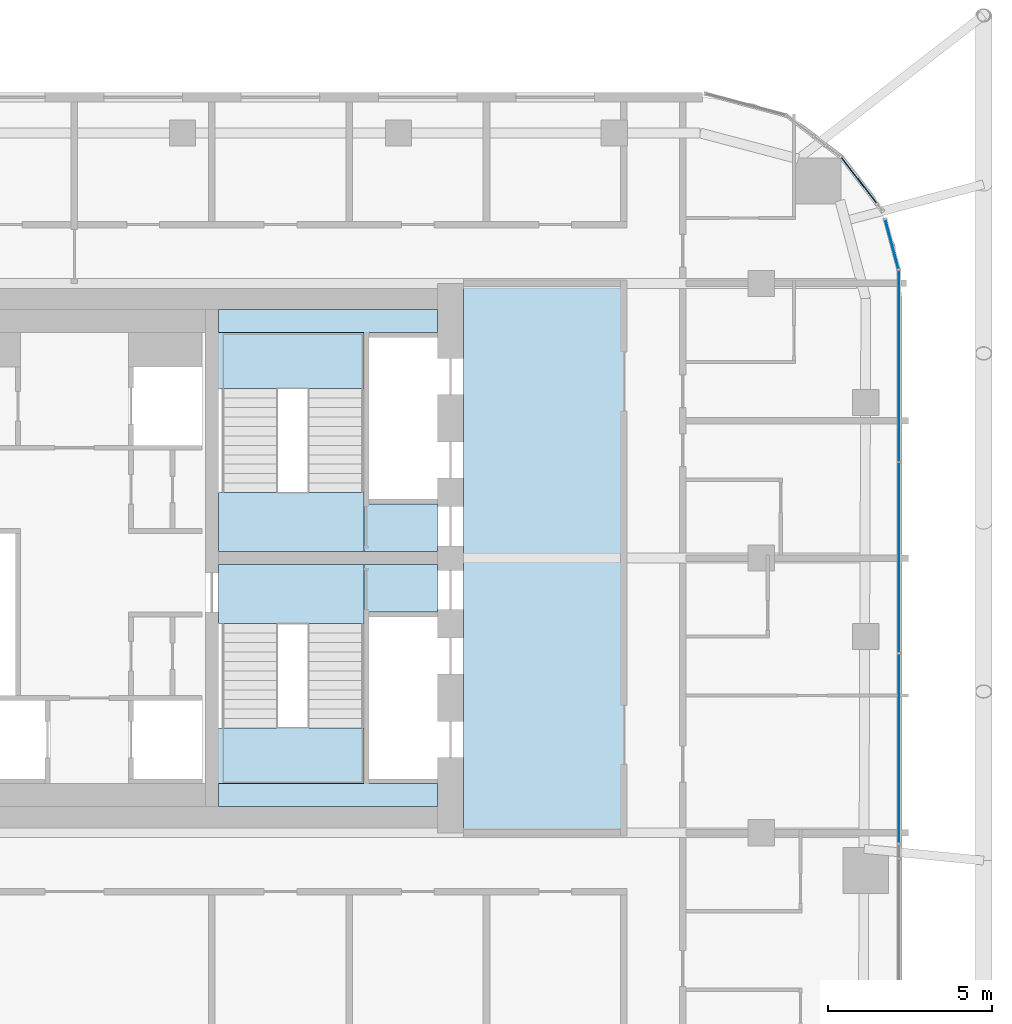
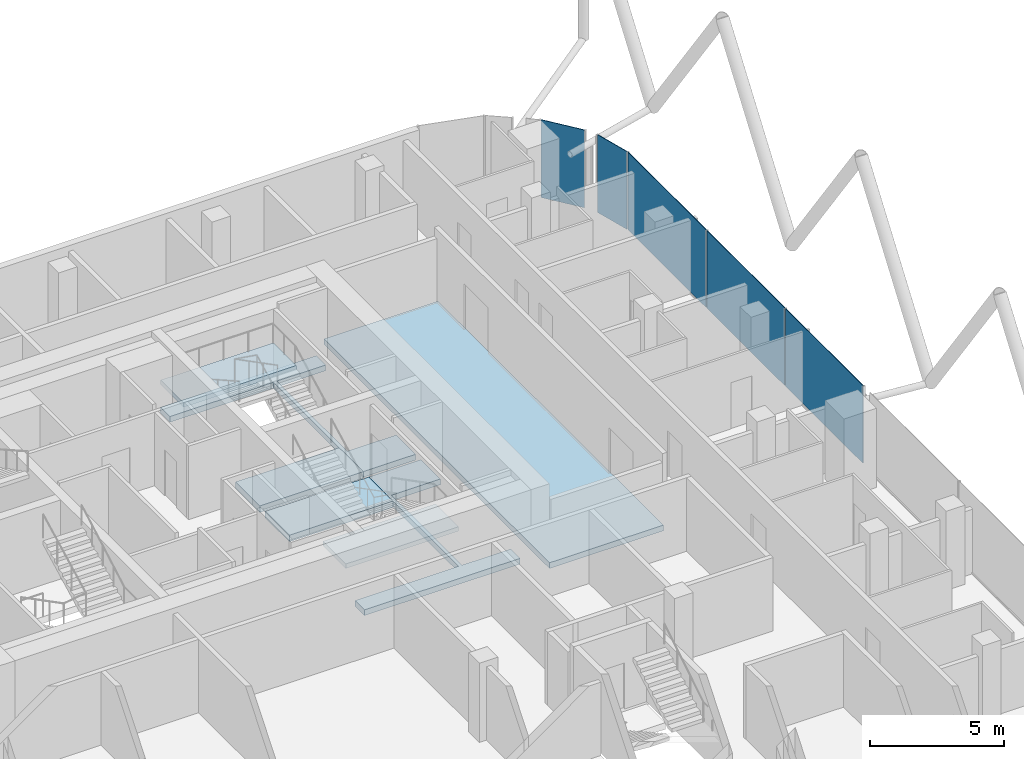
# One storey, part 21 of 31: 7 slabs, 5 plates, 5 elements without a shape of their own.
"""IFC4 building model written with IfcOpenShell, lengths in metres."""

from ifc_helpers import new_model, si_unit, direction, frame, origin, origin_2d, place, context, subcontext, project, spatial, polyline, rectangle, outline, extrude, material, layer, layer_set, type_object, element, aggregate, save


model = new_model("IFC4")

# Units and contexts
model_context = context("Model", 3, precision=1e-05, world=origin(), true_north=direction((0.0, 1.0)))
body_context = subcontext(model_context, "Body", "Model", "MODEL_VIEW")
ifc_project = project(units=[si_unit("LENGTHUNIT", "METRE"), si_unit("AREAUNIT", "SQUARE_METRE"), si_unit("VOLUMEUNIT", "CUBIC_METRE"), si_unit("PLANEANGLEUNIT", "RADIAN"), si_unit("MASSUNIT", "GRAM", prefix="KILO")], contexts=[model_context])

# Site, building, storey
site_placement = place(None, origin())
site = spatial("IfcSite", under=ifc_project, at=site_placement, CompositionType="ELEMENT")
building_placement = place(site_placement, origin())
building = spatial("IfcBuilding", under=site, at=building_placement, Name="Marenta Gate Hotel Tower", CompositionType="ELEMENT")
storey_placement = place(building_placement, frame((0.0, 0.0, 234.5)))
storey = spatial("IfcBuildingStorey", under=building, at=storey_placement, Name="L55", CompositionType="ELEMENT", Elevation=234.5)

# Slabs
ifc_material_1 = material(Name="Concrete C40", Category="concrete")
ifc_layer_1 = layer(ifc_material_1, 0.260009765625)
ifc_layer_set_1 = layer_set([ifc_layer_1], Name="Concrete C40")
slab_type_1 = type_object("IfcSlabType", Name="Core floor slab 260", PredefinedType="FLOOR", material=ifc_layer_set_1)
slab_1_placement = place(storey_placement, frame((0.0, 0.0, -0.260009765625)))
element("IfcSlab", 1, at=slab_1_placement, inside=storey, type_object=slab_type_1, Name="L55-CF-1", PredefinedType="FLOOR", context=body_context, shape_type="SweptSolid", body=[
    extrude(outline(polyline([(11.89990234375, 0.0), (11.89990234375, 16.800048828125), (16.800048828125, 16.800048828125), (16.800048828125, 0.0), (11.89990234375, 0.0)])), origin(), (0.0, 0.0, 1.0), 0.260009765625),
])
slab_2_placement = place(storey_placement, frame((0.0, 0.0, -0.260009765625)))
element("IfcSlab", 2, at=slab_2_placement, inside=storey, type_object=slab_type_1, Name="L55-CF-2", PredefinedType="FLOOR", context=body_context, shape_type="SweptSolid", body=[
    extrude(outline(polyline([(8.85009765625, 1.5), (8.85009765625, 6.39990234375), (8.85009765625, 8.10009765625), (8.85009765625, 8.199951171875), (11.10009765625, 8.199951171875), (11.10009765625, 6.75), (9.0, 6.75), (9.0, 6.60009765625), (9.0, 4.199951171875), (9.0, 4.050048828125), (9.0, 1.64990234375), (9.0, 1.5), (11.10009765625, 1.5), (11.10009765625, 0.800048828125), (4.39990234375, 0.800048828125), (4.39990234375, 1.5), (8.85009765625, 1.5)])), origin(), (0.0, 0.0, 1.0), 0.260009765625),
])
slab_3_placement = place(storey_placement, frame((0.0, 0.0, -0.260009765625)))
element("IfcSlab", 3, at=slab_3_placement, inside=storey, type_object=slab_type_1, Name="L55-CF-3", PredefinedType="FLOOR", context=body_context, shape_type="SweptSolid", body=[
    extrude(outline(polyline([(8.85009765625, 15.300048828125), (4.39990234375, 15.300048828125), (4.39990234375, 16.0), (11.10009765625, 16.0), (11.10009765625, 15.300048828125), (9.0, 15.300048828125), (9.0, 15.14990234375), (9.0, 12.75), (9.0, 12.60009765625), (9.0, 10.199951171875), (9.0, 10.050048828125), (11.10009765625, 10.050048828125), (11.10009765625, 8.60009765625), (8.85009765625, 8.60009765625), (8.85009765625, 8.699951171875), (8.85009765625, 10.39990234375), (8.85009765625, 15.300048828125)])), origin(), (0.0, 0.0, 1.0), 0.260009765625),
])

# Stair, slab
ifc_material_2 = material(Name="Concrete C40", Category="concrete")
stair_type = type_object("IfcStairType", Name="Core exit stair 1700 wide", PredefinedType="HALF_TURN_STAIR", material=ifc_material_2)
stair_1_placement = place(storey_placement, origin())
stair_1 = element("IfcStair", 4, at=stair_1_placement, inside=storey, type_object=stair_type, Name="Exit stair 3", PredefinedType="HALF_TURN_STAIR")
ifc_material_3 = material(Name="Concrete C40", Category="concrete")
ifc_layer_2 = layer(ifc_material_3, 0.199951171875)
ifc_layer_set_2 = layer_set([ifc_layer_2], Name="Concrete C40")
slab_type_2 = type_object("IfcSlabType", Name="Core stair landing 200", PredefinedType="LANDING", material=ifc_layer_set_2)
slab_4_placement = place(storey_placement, frame((0.0, 0.0, 1.60009765625)))
slab_4 = element("IfcSlab", 5, at=slab_4_placement, type_object=slab_type_2, Name="SL-200 ST3 landing 1", PredefinedType="LANDING", context=body_context, shape_type="SweptSolid", body=[
    extrude(outline(polyline([(4.0, 1.5), (8.85009765625, 1.5), (8.85009765625, 3.2099609375), (4.0, 3.2099609375), (4.0, 1.5)])), origin(), (0.0, 0.0, 1.0), 0.199951171875),
])
aggregate(stair_1, [slab_4])

stair_2_placement = place(storey_placement, origin())
stair_2 = element("IfcStair", 6, at=stair_2_placement, inside=storey, type_object=stair_type, Name="Exit stair 4", PredefinedType="HALF_TURN_STAIR")
slab_5_placement = place(storey_placement, frame((0.0, 0.0, 1.60009765625)))
slab_5 = element("IfcSlab", 7, at=slab_5_placement, type_object=slab_type_2, Name="SL-200 ST4 landing 1", PredefinedType="LANDING", context=body_context, shape_type="SweptSolid", body=[
    extrude(outline(polyline([(4.0, 13.590087890625), (8.85009765625, 13.590087890625), (8.85009765625, 15.300048828125), (4.0, 15.300048828125), (4.0, 13.590087890625)])), origin(), (0.0, 0.0, 1.0), 0.199951171875),
])
aggregate(stair_2, [slab_5])

# Curtain wall, plates
ifc_material_4 = material(Name="Tinted insulated glass in bronze anodised frame", Category="glass")
ifc_layer_3 = layer(ifc_material_4, 0.1201171875)
ifc_layer_set_3 = layer_set([ifc_layer_3], Name="Tinted insulated glass in bronze anodised frame")
curtain_wall_type = type_object("IfcCurtainWallType", Name="Tower unitised curtain wall CW1", PredefinedType="NOTDEFINED", material=ifc_layer_set_3)
curtain_wall_1_placement = place(storey_placement, origin())
curtain_wall_1 = element("IfcCurtainWall", 8, at=curtain_wall_1_placement, inside=storey, type_object=curtain_wall_type, Name="CW1 run G34", PredefinedType="NOTDEFINED")
ifc_material_5 = material(Name="Tinted insulated glass", Category="glass")
ifc_layer_4 = layer(ifc_material_5, 0.028076171875)
ifc_layer_set_4 = layer_set([ifc_layer_4], Name="Tinted insulated glass")
plate_type = type_object("IfcPlateType", Name="Glass panel CW1 28 mm tinted insulated unit", PredefinedType="CURTAIN_PANEL", material=ifc_layer_set_4)
plate_1_placement = place(storey_placement, frame((25.214111328125, 2.57373046875, 0.06005859375), z_axis=(0.0, 0.0, 1.0), x_axis=(0.0, 1.0, 0.0)))
plate_1 = element("IfcPlate", 9, at=plate_1_placement, type_object=plate_type, Name="CW1 panel 1.1", PredefinedType="CURTAIN_PANEL", context=body_context, shape_type="SweptSolid", body=[
    extrude(rectangle(XDim=5.76318359375, YDim=0.028076171875, at=origin_2d()), origin(), (0.0, 0.0, 1.0), 3.5400390625),
])
plate_2_placement = place(storey_placement, frame((25.214111328125, 8.412109375, 0.06005859375), z_axis=(0.0, 0.0, 1.0), x_axis=(0.0, 1.0, 0.0)))
plate_2 = element("IfcPlate", 10, at=plate_2_placement, type_object=plate_type, Name="CW1 panel 2.1", PredefinedType="CURTAIN_PANEL", context=body_context, shape_type="SweptSolid", body=[
    extrude(rectangle(XDim=5.793212890625, YDim=0.028076171875, at=origin_2d()), origin(), (0.0, 0.0, 1.0), 3.5400390625),
])
plate_3_placement = place(storey_placement, frame((25.214111328125, 14.2802734375, 0.06005859375), z_axis=(0.0, 0.0, 1.0), x_axis=(0.0, 1.0, 0.0)))
plate_3 = element("IfcPlate", 11, at=plate_3_placement, type_object=plate_type, Name="CW1 panel 3.1", PredefinedType="CURTAIN_PANEL", context=body_context, shape_type="SweptSolid", body=[
    extrude(rectangle(XDim=5.8232421875, YDim=0.028076171875, at=origin_2d()), origin(), (0.0, 0.0, 1.0), 3.5400390625),
])
aggregate(curtain_wall_1, [plate_1, plate_2, plate_3])

# Curtain wall, plate
curtain_wall_2_placement = place(storey_placement, origin())
curtain_wall_2 = element("IfcCurtainWall", 12, at=curtain_wall_2_placement, inside=storey, type_object=curtain_wall_type, Name="CW1 run G35", PredefinedType="NOTDEFINED")
plate_4_placement = place(storey_placement, frame((24.998779296875, 17.9951171875, 0.06005859375), z_axis=(0.0, 0.0, 1.0), x_axis=(-0.25883027083, 0.965922818295, 0.0)))
plate_4 = element("IfcPlate", 13, at=plate_4_placement, type_object=plate_type, Name="CW1 panel 1.1", PredefinedType="CURTAIN_PANEL", context=body_context, shape_type="SweptSolid", body=[
    extrude(rectangle(XDim=1.54296875, YDim=0.028076171875, at=origin_2d()), origin(), (0.0, 0.0, 1.0), 3.5400390625),
])
aggregate(curtain_wall_2, [plate_4])

curtain_wall_3_placement = place(storey_placement, origin())
curtain_wall_3 = element("IfcCurtainWall", 14, at=curtain_wall_3_placement, inside=storey, type_object=curtain_wall_type, Name="CW1 run G37", PredefinedType="NOTDEFINED")
plate_5_placement = place(storey_placement, frame((23.98876953125, 19.9541015625, 0.06005859375), z_axis=(0.0, 0.0, 1.0), x_axis=(-0.608784227687, 0.79333584573, 0.0)))
plate_5 = element("IfcPlate", 15, at=plate_5_placement, type_object=plate_type, Name="CW1 panel 1.1", PredefinedType="CURTAIN_PANEL", context=body_context, shape_type="SweptSolid", body=[
    extrude(rectangle(XDim=1.76123046875, YDim=0.028076171875, at=origin_2d()), origin(), (0.0, 0.0, 1.0), 3.5400390625),
])
aggregate(curtain_wall_3, [plate_5])

# Slabs
ifc_material_6 = material(Name="Concrete C40", Category="concrete")
ifc_layer_5 = layer(ifc_material_6, 0.300048828125)
ifc_layer_set_5 = layer_set([ifc_layer_5], Name="Concrete C40")
slab_type_3 = type_object("IfcSlabType", Name="Stair floor landing slab 300", PredefinedType="FLOOR", material=ifc_layer_set_5)
slab_6_placement = place(storey_placement, frame((0.0, 0.0, -0.300048828125)))
element("IfcSlab", 16, at=slab_6_placement, inside=storey, type_object=slab_type_3, Name="L55-CL-ST3-1", PredefinedType="FLOOR", context=body_context, shape_type="SweptSolid", body=[
    extrude(outline(polyline([(4.39990234375, 6.39990234375), (4.39990234375, 8.199951171875), (8.85009765625, 8.199951171875), (8.85009765625, 8.10009765625), (8.85009765625, 6.39990234375), (4.39990234375, 6.39990234375)])), origin(), (0.0, 0.0, 1.0), 0.300048828125),
])
slab_7_placement = place(storey_placement, frame((0.0, 0.0, -0.300048828125)))
element("IfcSlab", 17, at=slab_7_placement, inside=storey, type_object=slab_type_3, Name="L55-CL-ST4-1", PredefinedType="FLOOR", context=body_context, shape_type="SweptSolid", body=[
    extrude(outline(polyline([(4.39990234375, 8.60009765625), (4.39990234375, 10.39990234375), (8.85009765625, 10.39990234375), (8.85009765625, 8.699951171875), (8.85009765625, 8.60009765625), (4.39990234375, 8.60009765625)])), origin(), (0.0, 0.0, 1.0), 0.300048828125),
])

save(model, "model.ifc")
